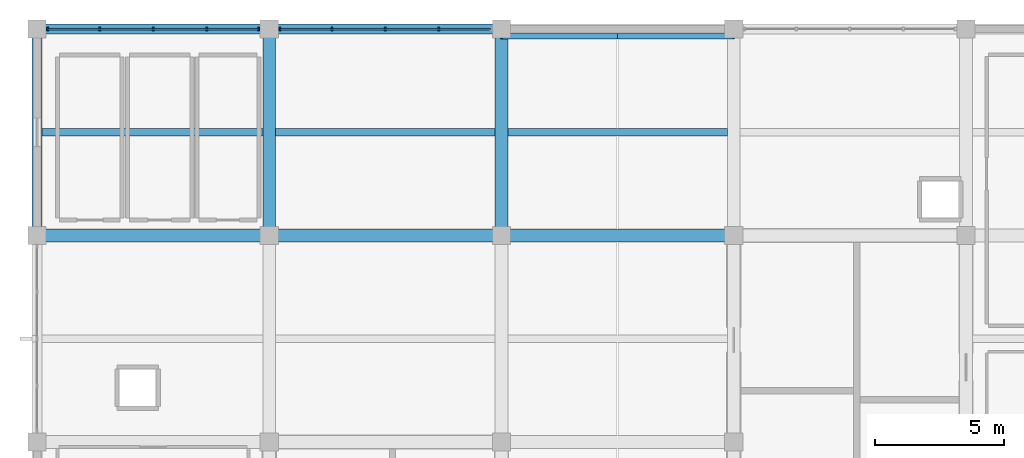
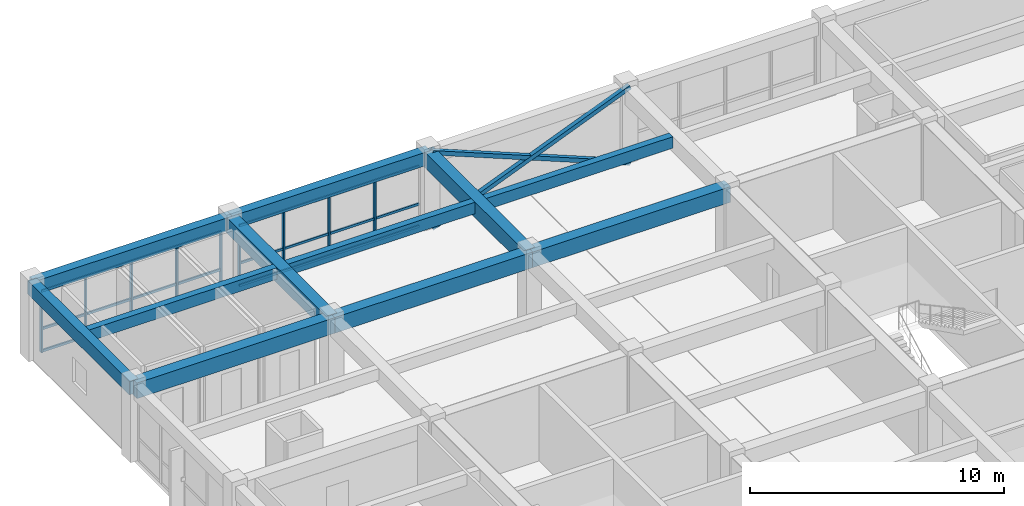
# One storey, part 7 of 13: 17 members, 11 beams, 2 elements without a shape of their own.
"""IFC4 building model written with IfcOpenShell, lengths in metres."""

from ifc_helpers import new_model, si_unit, direction, frame, origin, origin_2d, place, context, subcontext, project, spatial, rectangle, hollow_rectangle, extrude, material, material_profile, profile_set, type_object, element, aggregate, save


model = new_model("IFC4")

# Units and contexts
model_context = context("Model", 3, precision=1e-05, world=origin(), true_north=direction((0.0, 1.0)))
body_context = subcontext(model_context, "Body", "Model", "MODEL_VIEW")
ifc_project = project(units=[si_unit("LENGTHUNIT", "METRE"), si_unit("AREAUNIT", "SQUARE_METRE"), si_unit("VOLUMEUNIT", "CUBIC_METRE"), si_unit("PLANEANGLEUNIT", "RADIAN"), si_unit("MASSUNIT", "GRAM", prefix="KILO")], contexts=[model_context])

# Site, building, storey
site_placement = place(None, origin())
site = spatial("IfcSite", under=ifc_project, at=site_placement, CompositionType="ELEMENT")
building_placement = place(site_placement, origin())
building = spatial("IfcBuilding", under=site, at=building_placement, Name="Zaverband Oceanarium and Marine Research Institute", CompositionType="ELEMENT")
storey_placement = place(building_placement, frame((0.0, 0.0, 60.89990234375)))
storey = spatial("IfcBuildingStorey", under=building, at=storey_placement, Name="L15", CompositionType="ELEMENT", Elevation=60.89990234375)

# Beams
ifc_material_1 = material(Name="Concrete C40/50", Category="concrete")
ifc_material_profile_1 = material_profile(ifc_material_1, rectangle(XDim=0.5, YDim=0.75, at=origin_2d()), Name="RC500x750")
ifc_profile_set_1 = profile_set([ifc_material_profile_1], Name="Concrete C40/50")
beam_type_1 = type_object("IfcBeamType", Name="BM-500x750", PredefinedType="BEAM", material=ifc_profile_set_1)
for number, where, z_axis, x_axis, name in (
    (1, (9.0, 104.0, 3.275146484375), (1.0, 0.0, 0.0), (0.0, 1.0, 0.0), "Primary floor girder BM-500x750"),
    (2, (18.0, 104.0, 3.275146484375), (1.0, 0.0, 0.0), (0.0, 1.0, 0.0), "Primary floor girder BM-500x750"),
    (3, (27.0, 104.0, 3.275146484375), (1.0, 0.0, 0.0), (0.0, 1.0, 0.0), "Primary floor girder BM-500x750"),
):
    element("IfcBeam", number, at=place(storey_placement, frame(where, z_axis=z_axis, x_axis=x_axis)), inside=storey, type_object=beam_type_1, Name=name, PredefinedType="BEAM", context=body_context, shape_type="SweptSolid", body=[
        extrude(rectangle(XDim=0.5, YDim=0.75, at=origin_2d()), origin(), (0.0, 0.0, 1.0), 9.0),
    ])
for number, where, z_axis, x_axis, name in (
    (4, (18.0, 104.0, 3.275146484375), (0.0, 1.0, 0.0), (-1.0, 0.0, 0.0), "Primary floor girder BM-500x750"),
    (5, (27.0, 104.0, 3.275146484375), (0.0, 1.0, 0.0), (-1.0, 0.0, 0.0), "Primary floor girder BM-500x750"),
):
    element("IfcBeam", number, at=place(storey_placement, frame(where, z_axis=z_axis, x_axis=x_axis)), inside=storey, type_object=beam_type_1, Name=name, PredefinedType="BEAM", context=body_context, shape_type="SweptSolid", body=[
        extrude(rectangle(XDim=0.5, YDim=0.75, at=origin_2d()), origin(), (0.0, 0.0, 1.0), 8.0),
    ])

# Members
ifc_material_2 = material(Name="Steel S355", Category="steel")
ifc_material_profile_2 = material_profile(ifc_material_2, hollow_rectangle(XDim=0.199951171875, YDim=0.199951171875, WallThickness=0.010009765625, at=origin_2d()), Name="SHS200x200x10")
ifc_profile_set_2 = profile_set([ifc_material_profile_2], Name="Steel S355")
member_type_1 = type_object("IfcMemberType", Name="BR-03", PredefinedType="BRACE", material=ifc_profile_set_2)
for number, where, z_axis, x_axis, name in (
    (6, (27.0, 111.719970703125, 0.0), (0.92668556068, 0.0, 0.37583756016), (0.0, 1.0, 0.0), "Diagonal lateral brace BR-03"),
    (7, (36.0, 111.719970703125, 0.0), (-0.92668556068, 0.0, 0.37583756016), (0.0, -1.0, 0.0), "Diagonal lateral brace BR-03"),
):
    element("IfcMember", number, at=place(storey_placement, frame(where, z_axis=z_axis, x_axis=x_axis)), inside=storey, type_object=member_type_1, Name=name, PredefinedType="BRACE", context=body_context, shape_type="SweptSolid", body=[
        extrude(hollow_rectangle(XDim=0.199951171875, YDim=0.199951171875, WallThickness=0.010009765625, at=origin_2d()), origin(), (0.0, 0.0, 1.0), 9.7119140625),
    ])

# Beams
ifc_material_profile_3 = material_profile(ifc_material_1, rectangle(XDim=0.300048828125, YDim=0.550048828125, at=origin_2d()), Name="RC300x550")
ifc_profile_set_3 = profile_set([ifc_material_profile_3], Name="Concrete C40/50")
beam_type_2 = type_object("IfcBeamType", Name="JST-300x550", PredefinedType="JOIST", material=ifc_profile_set_3)
beam_1_placement = place(storey_placement, frame((9.199951171875, 108.0, 3.375), z_axis=(1.0, 0.0, 0.0), x_axis=(0.0, 1.0, 0.0)))
element("IfcBeam", 8, at=beam_1_placement, inside=storey, type_object=beam_type_2, Name="Secondary floor joist JST-300x550", PredefinedType="JOIST", context=body_context, shape_type="SweptSolid", body=[
    extrude(rectangle(XDim=0.300048828125, YDim=0.550048828125, at=origin_2d()), origin(), (0.0, 0.0, 1.0), 8.550048828125),
])
for number, where, z_axis, x_axis, name in (
    (9, (18.25, 108.0, 3.375), (1.0, 0.0, 0.0), (0.0, 1.0, 0.0), "Secondary floor joist JST-300x550"),
    (10, (27.25, 108.0, 3.375), (1.0, 0.0, 0.0), (0.0, 1.0, 0.0), "Secondary floor joist JST-300x550"),
):
    element("IfcBeam", number, at=place(storey_placement, frame(where, z_axis=z_axis, x_axis=x_axis)), inside=storey, type_object=beam_type_2, Name=name, PredefinedType="JOIST", context=body_context, shape_type="SweptSolid", body=[
        extrude(rectangle(XDim=0.300048828125, YDim=0.550048828125, at=origin_2d()), origin(), (0.0, 0.0, 1.0), 8.5),
    ])

# Curtain wall, members
ifc_material_3 = material(Name="Thermally broken anodized aluminium and solar-control glass", Category="aluminium")
curtain_wall_type = type_object("IfcCurtainWallType", Name="CW-UNIT-1800", PredefinedType="NOTDEFINED", material=ifc_material_3)
curtain_wall_1_placement = place(storey_placement, origin())
curtain_wall_1 = element("IfcCurtainWall", 11, at=curtain_wall_1_placement, inside=storey, type_object=curtain_wall_type, Name="Unitised glazed curtain wall CW-159", PredefinedType="NOTDEFINED")
ifc_material_4 = material(Name="Thermally broken anodized aluminium", Category="aluminium")
ifc_material_profile_4 = material_profile(ifc_material_4, rectangle(XDim=0.070068359375, YDim=0.14990234375, at=origin_2d()), Name="AL-MUL-70x150")
ifc_profile_set_4 = profile_set([ifc_material_profile_4], Name="Thermally broken anodized aluminium")
member_type_2 = type_object("IfcMemberType", Name="MUL-70x150", PredefinedType="MULLION", material=ifc_profile_set_4)
member_1_placement = place(storey_placement, frame((9.4150390625, 112.0, 0.0), z_axis=(0.0, 0.0, 1.0), x_axis=(1.0, 0.0, 0.0)))
member_1 = element("IfcMember", 12, at=member_1_placement, type_object=member_type_2, Name="Curtain wall vertical mullion MUL-70x150", PredefinedType="MULLION", context=body_context, shape_type="SweptSolid", body=[
    extrude(rectangle(XDim=0.070068359375, YDim=0.14990234375, at=origin_2d()), origin(), (0.0, 0.0, 1.0), 2.97998046875),
])
member_2_placement = place(storey_placement, frame((11.427490234375, 112.0, 0.0), z_axis=(0.0, 0.0, 1.0), x_axis=(1.0, 0.0, 0.0)))
member_2 = element("IfcMember", 13, at=member_2_placement, type_object=member_type_2, Name="Curtain wall vertical mullion MUL-70x150", PredefinedType="MULLION", context=body_context, shape_type="SweptSolid", body=[
    extrude(rectangle(XDim=0.070068359375, YDim=0.14990234375, at=origin_2d()), origin(), (0.0, 0.0, 1.0), 2.97998046875),
])
member_3_placement = place(storey_placement, frame((13.5, 112.0, 0.0), z_axis=(0.0, 0.0, 1.0), x_axis=(1.0, 0.0, 0.0)))
member_3 = element("IfcMember", 14, at=member_3_placement, type_object=member_type_2, Name="Curtain wall vertical mullion MUL-70x150", PredefinedType="MULLION", context=body_context, shape_type="SweptSolid", body=[
    extrude(rectangle(XDim=0.070068359375, YDim=0.14990234375, at=origin_2d()), origin(), (0.0, 0.0, 1.0), 2.97998046875),
])
member_4_placement = place(storey_placement, frame((15.572509765625, 112.0, 0.0), z_axis=(0.0, 0.0, 1.0), x_axis=(1.0, 0.0, 0.0)))
member_4 = element("IfcMember", 15, at=member_4_placement, type_object=member_type_2, Name="Curtain wall vertical mullion MUL-70x150", PredefinedType="MULLION", context=body_context, shape_type="SweptSolid", body=[
    extrude(rectangle(XDim=0.070068359375, YDim=0.14990234375, at=origin_2d()), origin(), (0.0, 0.0, 1.0), 2.97998046875),
])
member_5_placement = place(storey_placement, frame((17.5849609375, 112.0, 0.0), z_axis=(0.0, 0.0, 1.0), x_axis=(1.0, 0.0, 0.0)))
member_5 = element("IfcMember", 16, at=member_5_placement, type_object=member_type_2, Name="Curtain wall vertical mullion MUL-70x150", PredefinedType="MULLION", context=body_context, shape_type="SweptSolid", body=[
    extrude(rectangle(XDim=0.070068359375, YDim=0.14990234375, at=origin_2d()), origin(), (0.0, 0.0, 1.0), 2.97998046875),
])

curtain_wall_2_placement = place(storey_placement, origin())
curtain_wall_2 = element("IfcCurtainWall", 17, at=curtain_wall_2_placement, inside=storey, type_object=curtain_wall_type, Name="Unitised glazed curtain wall CW-160", PredefinedType="NOTDEFINED")
member_6_placement = place(storey_placement, frame((18.4150390625, 112.0, 0.0), z_axis=(0.0, 0.0, 1.0), x_axis=(1.0, 0.0, 0.0)))
member_6 = element("IfcMember", 18, at=member_6_placement, type_object=member_type_2, Name="Curtain wall vertical mullion MUL-70x150", PredefinedType="MULLION", context=body_context, shape_type="SweptSolid", body=[
    extrude(rectangle(XDim=0.070068359375, YDim=0.14990234375, at=origin_2d()), origin(), (0.0, 0.0, 1.0), 2.97998046875),
])
member_7_placement = place(storey_placement, frame((20.427490234375, 112.0, 0.0), z_axis=(0.0, 0.0, 1.0), x_axis=(1.0, 0.0, 0.0)))
member_7 = element("IfcMember", 19, at=member_7_placement, type_object=member_type_2, Name="Curtain wall vertical mullion MUL-70x150", PredefinedType="MULLION", context=body_context, shape_type="SweptSolid", body=[
    extrude(rectangle(XDim=0.070068359375, YDim=0.14990234375, at=origin_2d()), origin(), (0.0, 0.0, 1.0), 2.97998046875),
])
member_8_placement = place(storey_placement, frame((22.5, 112.0, 0.0), z_axis=(0.0, 0.0, 1.0), x_axis=(1.0, 0.0, 0.0)))
member_8 = element("IfcMember", 20, at=member_8_placement, type_object=member_type_2, Name="Curtain wall vertical mullion MUL-70x150", PredefinedType="MULLION", context=body_context, shape_type="SweptSolid", body=[
    extrude(rectangle(XDim=0.070068359375, YDim=0.14990234375, at=origin_2d()), origin(), (0.0, 0.0, 1.0), 2.97998046875),
])
member_9_placement = place(storey_placement, frame((24.572509765625, 112.0, 0.0), z_axis=(0.0, 0.0, 1.0), x_axis=(1.0, 0.0, 0.0)))
member_9 = element("IfcMember", 21, at=member_9_placement, type_object=member_type_2, Name="Curtain wall vertical mullion MUL-70x150", PredefinedType="MULLION", context=body_context, shape_type="SweptSolid", body=[
    extrude(rectangle(XDim=0.070068359375, YDim=0.14990234375, at=origin_2d()), origin(), (0.0, 0.0, 1.0), 2.97998046875),
])

# Beams
ifc_material_profile_5 = material_profile(ifc_material_1, rectangle(XDim=0.39990234375, YDim=0.64990234375, at=origin_2d()), Name="RC400x650")
ifc_profile_set_5 = profile_set([ifc_material_profile_5], Name="Concrete C40/50")
beam_type_3 = type_object("IfcBeamType", Name="SPN-400x650", PredefinedType="SPANDREL", material=ifc_profile_set_5)
for number, where, z_axis, x_axis, name in (
    (22, (9.0, 112.0, 3.3251953125), (1.0, 0.0, 0.0), (0.0, 1.0, 0.0), "Perimeter spandrel beam SPN-400x650"),
    (23, (18.0, 112.0, 3.3251953125), (1.0, 0.0, 0.0), (0.0, 1.0, 0.0), "Perimeter spandrel beam SPN-400x650"),
):
    element("IfcBeam", number, at=place(storey_placement, frame(where, z_axis=z_axis, x_axis=x_axis)), inside=storey, type_object=beam_type_3, Name=name, PredefinedType="SPANDREL", context=body_context, shape_type="SweptSolid", body=[
        extrude(rectangle(XDim=0.39990234375, YDim=0.64990234375, at=origin_2d()), origin(), (0.0, 0.0, 1.0), 9.0),
    ])
beam_2_placement = place(storey_placement, frame((9.0, 104.0, 3.3251953125), z_axis=(0.0, 1.0, 0.0), x_axis=(-1.0, 0.0, 0.0)))
element("IfcBeam", 24, at=beam_2_placement, inside=storey, type_object=beam_type_3, Name="Perimeter spandrel beam SPN-400x650", PredefinedType="SPANDREL", context=body_context, shape_type="SweptSolid", body=[
    extrude(rectangle(XDim=0.39990234375, YDim=0.64990234375, at=origin_2d()), origin(), (0.0, 0.0, 1.0), 8.0),
])

# Member
ifc_material_profile_6 = material_profile(ifc_material_4, rectangle(XDim=0.070068359375, YDim=0.114990234375, at=origin_2d()), Name="AL-TRN-70x115")
ifc_profile_set_6 = profile_set([ifc_material_profile_6], Name="Thermally broken anodized aluminium")
member_type_3 = type_object("IfcMemberType", Name="TRN-70x115", PredefinedType="USERDEFINED", material=ifc_profile_set_6)
member_10_placement = place(storey_placement, frame((9.4150390625, 112.0, 0.050048828125), z_axis=(1.0, 0.0, 0.0), x_axis=(0.0, 1.0, 0.0)))
member_10 = element("IfcMember", 25, at=member_10_placement, type_object=member_type_3, Name="Curtain wall horizontal transom TRN-70x115", ObjectType="TRANSOM", PredefinedType="USERDEFINED", context=body_context, shape_type="SweptSolid", body=[
    extrude(rectangle(XDim=0.070068359375, YDim=0.114990234375, at=origin_2d()), origin(), (0.0, 0.0, 1.0), 8.169921875),
])

member_11_placement = place(storey_placement, frame((9.4150390625, 112.0, 1.123046875), z_axis=(1.0, 0.0, 0.0), x_axis=(0.0, 1.0, 0.0)))
member_11 = element("IfcMember", 26, at=member_11_placement, type_object=member_type_3, Name="Curtain wall horizontal transom TRN-70x115", ObjectType="TRANSOM", PredefinedType="USERDEFINED", context=body_context, shape_type="SweptSolid", body=[
    extrude(rectangle(XDim=0.070068359375, YDim=0.114990234375, at=origin_2d()), origin(), (0.0, 0.0, 1.0), 8.169921875),
])

member_12_placement = place(storey_placement, frame((9.4150390625, 112.0, 2.93017578125), z_axis=(1.0, 0.0, 0.0), x_axis=(0.0, 1.0, 0.0)))
member_12 = element("IfcMember", 27, at=member_12_placement, type_object=member_type_3, Name="Curtain wall horizontal transom TRN-70x115", ObjectType="TRANSOM", PredefinedType="USERDEFINED", context=body_context, shape_type="SweptSolid", body=[
    extrude(rectangle(XDim=0.070068359375, YDim=0.114990234375, at=origin_2d()), origin(), (0.0, 0.0, 1.0), 8.169921875),
])

aggregate(curtain_wall_1, [member_1, member_2, member_3, member_4, member_5, member_10, member_11, member_12])

member_13_placement = place(storey_placement, frame((18.4150390625, 112.0, 0.050048828125), z_axis=(1.0, 0.0, 0.0), x_axis=(0.0, 1.0, 0.0)))
member_13 = element("IfcMember", 28, at=member_13_placement, type_object=member_type_3, Name="Curtain wall horizontal transom TRN-70x115", ObjectType="TRANSOM", PredefinedType="USERDEFINED", context=body_context, shape_type="SweptSolid", body=[
    extrude(rectangle(XDim=0.070068359375, YDim=0.114990234375, at=origin_2d()), origin(), (0.0, 0.0, 1.0), 8.169921875),
])

member_14_placement = place(storey_placement, frame((18.4150390625, 112.0, 1.123046875), z_axis=(1.0, 0.0, 0.0), x_axis=(0.0, 1.0, 0.0)))
member_14 = element("IfcMember", 29, at=member_14_placement, type_object=member_type_3, Name="Curtain wall horizontal transom TRN-70x115", ObjectType="TRANSOM", PredefinedType="USERDEFINED", context=body_context, shape_type="SweptSolid", body=[
    extrude(rectangle(XDim=0.070068359375, YDim=0.114990234375, at=origin_2d()), origin(), (0.0, 0.0, 1.0), 8.169921875),
])

member_15_placement = place(storey_placement, frame((18.4150390625, 112.0, 2.93017578125), z_axis=(1.0, 0.0, 0.0), x_axis=(0.0, 1.0, 0.0)))
member_15 = element("IfcMember", 30, at=member_15_placement, type_object=member_type_3, Name="Curtain wall horizontal transom TRN-70x115", ObjectType="TRANSOM", PredefinedType="USERDEFINED", context=body_context, shape_type="SweptSolid", body=[
    extrude(rectangle(XDim=0.070068359375, YDim=0.114990234375, at=origin_2d()), origin(), (0.0, 0.0, 1.0), 8.169921875),
])

aggregate(curtain_wall_2, [member_6, member_7, member_8, member_9, member_13, member_14, member_15])

save(model, "model.ifc")
